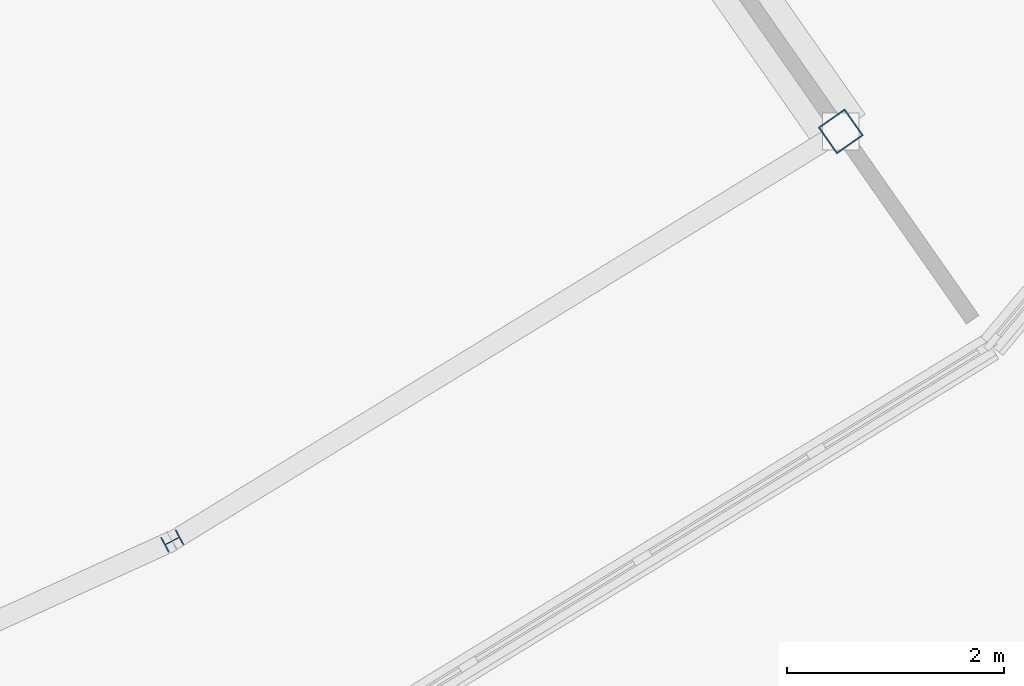
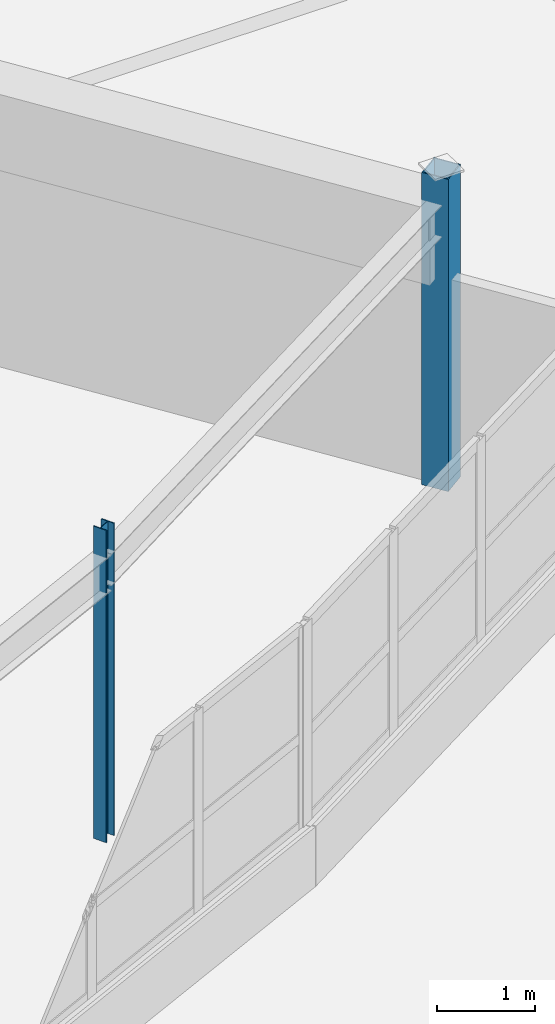
# One storey, part 6 of 128: 2 columns.
"""IFC4 building model written with IfcOpenShell, lengths in metres."""

from ifc_helpers import new_model, si_unit, direction, frame, origin, origin_2d, place, context, subcontext, project, spatial, hollow_rectangle, i_section, extrude, material, material_profile, profile_set, type_object, element, save


model = new_model("IFC4")

# Units and contexts
model_context = context("Model", 3, precision=1e-05, world=origin(), true_north=direction((0.0, 1.0)))
body_context = subcontext(model_context, "Body", "Model", "MODEL_VIEW")
ifc_project = project(units=[si_unit("LENGTHUNIT", "METRE"), si_unit("AREAUNIT", "SQUARE_METRE"), si_unit("VOLUMEUNIT", "CUBIC_METRE"), si_unit("PLANEANGLEUNIT", "RADIAN"), si_unit("MASSUNIT", "GRAM", prefix="KILO")], contexts=[model_context])

# Site, building, storey
site_placement = place(None, origin())
site = spatial("IfcSite", under=ifc_project, at=site_placement, CompositionType="ELEMENT")
building_placement = place(site_placement, origin())
building = spatial("IfcBuilding", under=site, at=building_placement, Name="Tarnwether General Hospital", CompositionType="ELEMENT")
storey_placement = place(building_placement, frame((0.0, 0.0, 14.39990234375)))
storey = spatial("IfcBuildingStorey", under=building, at=storey_placement, Name="L03", CompositionType="ELEMENT", Elevation=14.39990234375)

# Columns
ifc_material_1 = material(Name="Steel Grade 350 (350 MPa)", Category="steel")
ifc_material_profile_1 = material_profile(ifc_material_1, i_section(OverallWidth=0.154052734375, OverallDepth=0.162109375, WebThickness=0.008056640625, FlangeThickness=0.011474609375, at=origin_2d()), Name="150UC37.2")
ifc_profile_set_1 = profile_set([ifc_material_profile_1], Name="Steel Grade 350 (350 MPa)")
column_type_1 = type_object("IfcColumnType", Name="COL-28", PredefinedType="COLUMN", material=ifc_profile_set_1)
column_1_placement = place(storey_placement, frame((119.79296875, 10.72998046875, 0.0), z_axis=(0.0, 0.0, 1.0), x_axis=(-0.469471562786, 0.882947592859, 0.0)))
element("IfcColumn", 1, at=column_1_placement, inside=storey, type_object=column_type_1, Name="Column COLG-L03-11979_1073", PredefinedType="COLUMN", context=body_context, shape_type="SweptSolid", body=[
    extrude(i_section(OverallWidth=0.154052734375, OverallDepth=0.162109375, WebThickness=0.008056640625, FlangeThickness=0.011474609375, at=origin_2d()), origin(), (0.0, 0.0, 1.0), 3.900146484375),
])
ifc_material_2 = material(Name="Steel Grade C350L0 (350 MPa)", Category="steel")
ifc_material_profile_2 = material_profile(ifc_material_2, hollow_rectangle(XDim=0.300048828125, YDim=0.300048828125, WallThickness=0.012451171875, at=origin_2d()), Name="SHS300x300x12.5")
ifc_profile_set_2 = profile_set([ifc_material_profile_2], Name="Steel Grade C350L0 (350 MPa)")
column_type_2 = type_object("IfcColumnType", Name="COL-30", PredefinedType="COLUMN", material=ifc_profile_set_2)
column_2_placement = place(storey_placement, frame((125.9560546875, 14.506103515625, 0.0), z_axis=(0.0, 0.0, 1.0), x_axis=(-0.573576436351, 0.819152044289, 0.0)))
element("IfcColumn", 2, at=column_2_placement, inside=storey, type_object=column_type_2, Name="Column COLG-L03-12596_1451", PredefinedType="COLUMN", context=body_context, shape_type="SweptSolid", body=[
    extrude(hollow_rectangle(XDim=0.300048828125, YDim=0.300048828125, WallThickness=0.012451171875, at=origin_2d()), origin(), (0.0, 0.0, 1.0), 3.900146484375),
])

save(model, "model.ifc")
